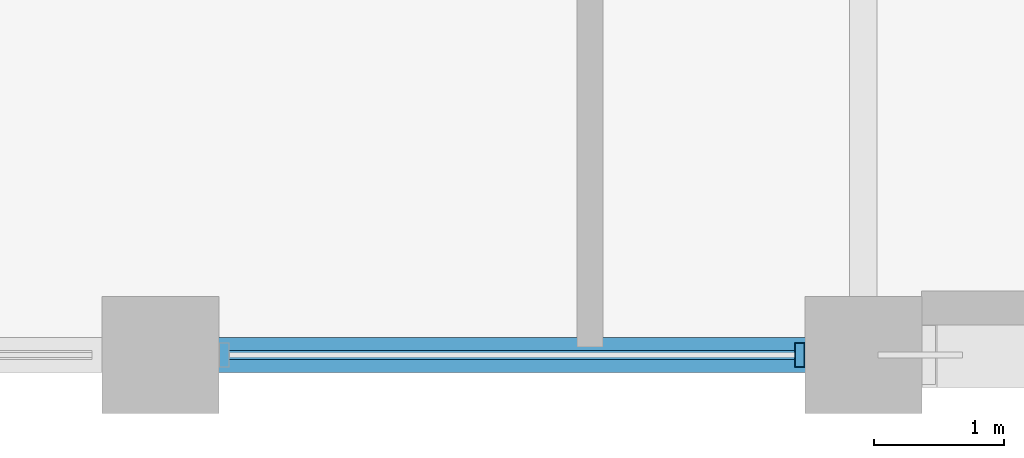
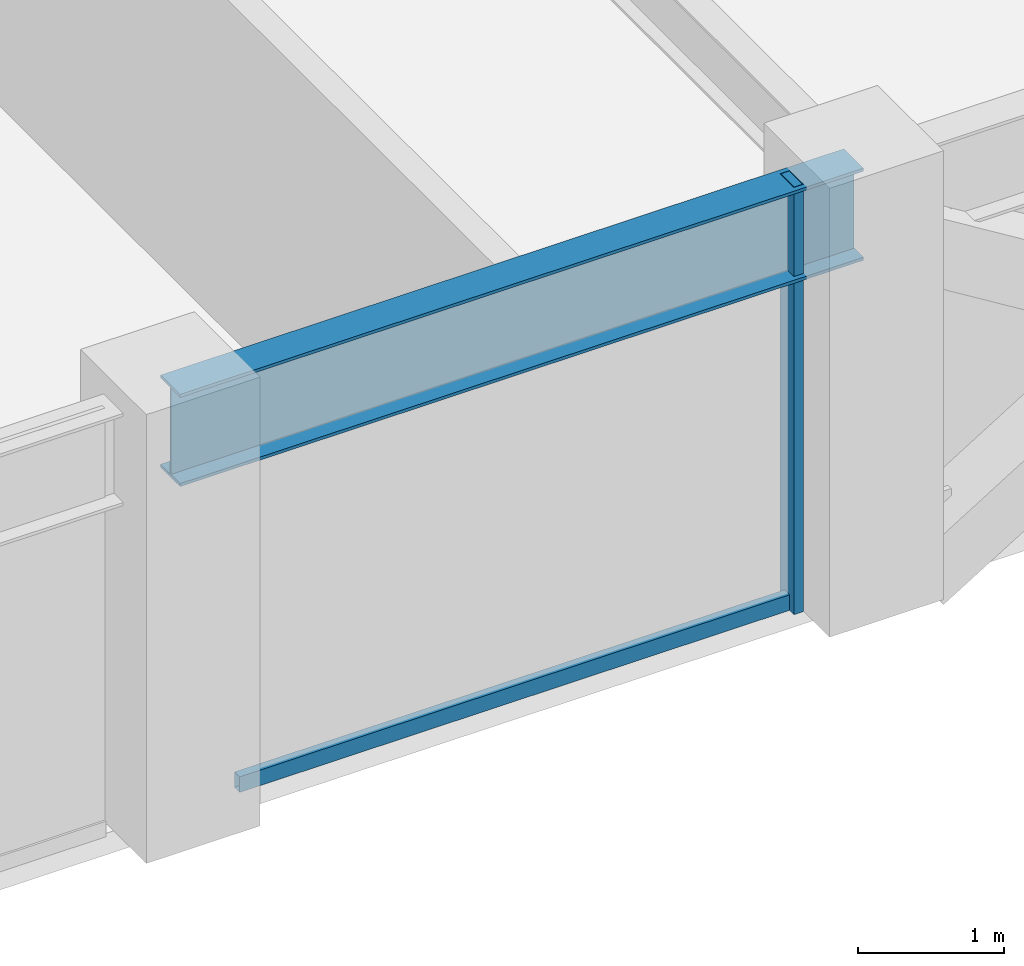
# One storey, part 3 of 32: 2 members, 1 beam, 1 element without a shape of its own.
"""IFC4 building model written with IfcOpenShell, lengths in metres."""

import ifcopenshell
import ifcopenshell.guid

model = None  # the IFC model being written
_history = None  # IfcOwnerHistory: only IFC2X3 demands one
_inside = {}  # id of a spatial element -> (the spatial element, [elements in it])
_under = {}  # id of a project, library or spatial element -> (it, [spatial elements below it])
_declared = {}  # id of a project -> (the project, [libraries it declares])
_typed = {}  # id of a type object -> (the type object, [elements of that type])
_made_of = {}  # id of a material, layer set ... -> (it, [elements and type objects made of it])


def new_model(schema):
    """Start an empty IFC model of exactly this schema.

    Asked for "IFC4X3", IfcOpenShell would pick the latest addendum, in which some entities
    have other attributes; the version numbers below select the first issue.
    IFC2X3 requires an IfcOwnerHistory on every rooted entity: one is made here for all.
    """
    global model, _history
    if schema == "IFC4X3":
        model = ifcopenshell.file(schema_version=(4, 3, 0, 0))
    else:
        model = ifcopenshell.file(schema=schema)
    _inside.clear()
    _under.clear()
    _declared.clear()
    _typed.clear()
    _made_of.clear()
    _history = None
    if model.schema == "IFC2X3":
        org = make("IfcOrganization", Name="unknown")
        user = make(
            "IfcPersonAndOrganization",
            ThePerson=make("IfcPerson", FamilyName="unknown"),
            TheOrganization=org,
        )
        app = make(
            "IfcApplication",
            ApplicationDeveloper=org,
            Version="unknown",
            ApplicationFullName="unknown",
            ApplicationIdentifier="unknown",
        )
        _history = make(
            "IfcOwnerHistory",
            OwningUser=user,
            OwningApplication=app,
            ChangeAction="ADDED",
            CreationDate=0,
        )
    return model


def make(cls, **values):
    """One entity of the class cls with the attributes given. An attribute that is None is left unset."""
    return model.create_entity(
        cls, **{name: value for name, value in values.items() if value is not None}
    )


def rooted(cls, **values):
    """An entity with a GlobalId (a new one), such as an element, a storey or a relation."""
    return make(cls, GlobalId=ifcopenshell.guid.new(), OwnerHistory=_history, **values)


def si_unit(unit_type, name, prefix=None):
    """IfcSIUnit, for example si_unit("LENGTHUNIT", "METRE", prefix="MILLI")."""
    return make("IfcSIUnit", UnitType=unit_type, Prefix=prefix, Name=name)


def assignment(units):
    """IfcUnitAssignment: the units of a project."""
    return None if units is None else make("IfcUnitAssignment", Units=units)


def point(xyz):
    """IfcCartesianPoint."""
    return None if xyz is None else make("IfcCartesianPoint", Coordinates=xyz)


def direction(xyz):
    """IfcDirection."""
    return None if xyz is None else make("IfcDirection", DirectionRatios=xyz)


def frame(location, z_axis=None, x_axis=None):
    """IfcAxis2Placement3D, a coordinate frame: its origin and axes. An axis left out is left unset."""
    return make(
        "IfcAxis2Placement3D",
        Location=point(location),
        Axis=direction(z_axis),
        RefDirection=direction(x_axis),
    )


def frame_2d(location, x_axis=None):
    """IfcAxis2Placement2D, a coordinate frame in the plane: its origin and x axis."""
    return make(
        "IfcAxis2Placement2D", Location=point(location), RefDirection=direction(x_axis)
    )


def origin():
    """The frame at (0, 0, 0) with its axes left unset."""
    return frame((0.0, 0.0, 0.0))


def origin_2d():
    """The frame at (0, 0) in the plane with its x axis left unset."""
    return frame_2d((0.0, 0.0))


def place(relative_to, where):
    """IfcLocalPlacement: puts the frame where relative to a parent placement (None: the world)."""
    return make(
        "IfcLocalPlacement", PlacementRelTo=relative_to, RelativePlacement=where
    )


def context(
    kind, dimensions, precision=None, world=None, true_north=None, identifier=None
):
    """IfcGeometricRepresentationContext, for example the 3D "Model" context."""
    return make(
        "IfcGeometricRepresentationContext",
        ContextIdentifier=identifier,
        ContextType=kind,
        CoordinateSpaceDimension=dimensions,
        Precision=precision,
        WorldCoordinateSystem=world,
        TrueNorth=true_north,
    )


def subcontext(parent, identifier, kind, view, scale=None):
    """IfcGeometricRepresentationSubContext, for example "Body" below "Model"."""
    return make(
        "IfcGeometricRepresentationSubContext",
        ContextIdentifier=identifier,
        ContextType=kind,
        ParentContext=parent,
        TargetScale=scale,
        TargetView=view,
    )


def project(units=None, contexts=None):
    """IfcProject with its units and contexts."""
    return rooted(
        "IfcProject",
        Name="project",
        RepresentationContexts=contexts,
        UnitsInContext=assignment(units),
    )


def spatial(cls, under=None, at=None, **own):
    """A site, building, storey or space (cls), placed at a placement, below another one or the project."""
    s = rooted(cls, ObjectPlacement=at, **own)
    if under is not None:
        _under.setdefault(under.id(), (under, []))[1].append(s)
    return s


def profile(cls, at=None, kind="AREA", **sizes):
    """A parametric profile (cls). Its sizes go by their IFC names, for example OverallWidth=200.0."""
    return make(cls, ProfileType=kind, Position=at, **sizes)


def hollow_rectangle(**sizes):
    """IfcRectangleHollowProfileDef."""
    return profile("IfcRectangleHollowProfileDef", **sizes)


def i_section(**sizes):
    """IfcIShapeProfileDef."""
    return profile("IfcIShapeProfileDef", **sizes)


def extrude(swept, where, along, depth):
    """IfcExtrudedAreaSolid: the profile swept, set in the frame where, extruded along a direction by depth."""
    return make(
        "IfcExtrudedAreaSolid",
        SweptArea=swept,
        Position=where,
        ExtrudedDirection=direction(along),
        Depth=depth,
    )


def shape(context_of_items, identifier, shape_type, items):
    """IfcShapeRepresentation: the items that make up one representation, for example the "Body"."""
    return make(
        "IfcShapeRepresentation",
        ContextOfItems=context_of_items,
        RepresentationIdentifier=identifier,
        RepresentationType=shape_type,
        Items=items,
    )


def material(Name=None, Category=None):
    """IfcMaterial."""
    return make("IfcMaterial", Name=Name, Category=Category)


def layer(
    of_material, thickness, ventilated=None, Name=None, Category=None, Priority=None
):
    """IfcMaterialLayer: one layer of a wall or slab, of a material (None: an air gap)."""
    return make(
        "IfcMaterialLayer",
        Material=of_material,
        LayerThickness=thickness,
        IsVentilated=ventilated,
        Name=Name,
        Category=Category,
        Priority=Priority,
    )


def layer_set(layers, Name=None):
    """IfcMaterialLayerSet."""
    return make("IfcMaterialLayerSet", MaterialLayers=layers, LayerSetName=Name)


def material_profile(
    of_material, cross_section, Name=None, Category=None, Priority=None
):
    """IfcMaterialProfile: a cross section and its material."""
    return make(
        "IfcMaterialProfile",
        Name=Name,
        Material=of_material,
        Profile=cross_section,
        Priority=Priority,
        Category=Category,
    )


def profile_set(profiles, Name=None, composite=None):
    """IfcMaterialProfileSet."""
    return make(
        "IfcMaterialProfileSet",
        Name=Name,
        MaterialProfiles=profiles,
        CompositeProfile=composite,
    )


def made_of(thing, what):
    """Note that an element or type object is made of a material, layer set ...; save() writes the relation."""
    if what is not None:
        _made_of.setdefault(what.id(), (what, []))[1].append(thing)
    return thing


def type_object(cls, material=None, **own):
    """A type object (cls), such as IfcWallType, which elements share."""
    return made_of(rooted(cls, **own), material)


def element(
    cls,
    number,
    at=None,
    inside=None,
    cuts=None,
    type_object=None,
    material=None,
    context=None,
    identifier="Body",
    shape_type=None,
    held_by="IfcProductDefinitionShape",
    body=None,
    shapes=None,
    **own,
):
    """One element of the class cls, such as IfcWall. Its Tag is "e" and its number.

    at: its placement. inside: the storey or other place that contains it. cuts: it is an
    opening in that element (IfcRelVoidsElement). A single representation is given by context,
    identifier, shape_type and body (its items); several are given by shapes. held_by: the class
    of the entity that holds the representations. save() writes the other relations.
    """
    e = rooted(cls, Tag="e%d" % number, ObjectPlacement=at, **own)
    if body is not None:
        shapes = [shape(context, identifier, shape_type, body)]
    if shapes is not None:
        e.Representation = make(held_by, Representations=shapes)
    if inside is not None:
        _inside.setdefault(inside.id(), (inside, []))[1].append(e)
    if cuts is not None:
        rooted(
            "IfcRelVoidsElement", RelatingBuildingElement=cuts, RelatedOpeningElement=e
        )
    if type_object is not None:
        _typed.setdefault(type_object.id(), (type_object, []))[1].append(e)
    return made_of(e, material)


def aggregate(whole, parts):
    """IfcRelAggregates: a whole, such as a stair, and the parts it consists of."""
    return rooted("IfcRelAggregates", RelatingObject=whole, RelatedObjects=parts)


def save(model, path):
    """Write the relations noted so far, then the file.

    IfcRelAggregates (storeys below a building ...), IfcRelContainedInSpatialStructure (elements
    in a storey), IfcRelDefinesByType, IfcRelAssociatesMaterial and IfcRelDeclares: one each for
    every whole, place, type object, material and project.
    """
    for whole, parts in _under.values():
        aggregate(whole, parts)
    for where, things in _inside.values():
        rooted(
            "IfcRelContainedInSpatialStructure",
            RelatedElements=things,
            RelatingStructure=where,
        )
    for kind, things in _typed.values():
        rooted("IfcRelDefinesByType", RelatedObjects=things, RelatingType=kind)
    for what, things in _made_of.values():
        rooted("IfcRelAssociatesMaterial", RelatedObjects=things, RelatingMaterial=what)
    for by, libraries in _declared.values():
        rooted("IfcRelDeclares", RelatingContext=by, RelatedDefinitions=libraries)
    model.write(path)


model = new_model("IFC4")

# Units and contexts
model_context = context("Model", 3, precision=1e-05, world=origin(), true_north=direction((0.0, 1.0)))
body_context = subcontext(model_context, "Body", "Model", "MODEL_VIEW")
ifc_project = project(units=[si_unit("LENGTHUNIT", "METRE"), si_unit("AREAUNIT", "SQUARE_METRE"), si_unit("VOLUMEUNIT", "CUBIC_METRE"), si_unit("PLANEANGLEUNIT", "RADIAN"), si_unit("MASSUNIT", "GRAM", prefix="KILO")], contexts=[model_context])

# Site, building, storey
site_placement = place(None, origin())
site = spatial("IfcSite", under=ifc_project, at=site_placement, CompositionType="ELEMENT")
building_placement = place(site_placement, origin())
building = spatial("IfcBuilding", under=site, at=building_placement, Name="Surkhivell Harbour Commons", CompositionType="ELEMENT")
storey_placement = place(building_placement, frame((0.0, 0.0, 197.25)))
storey = spatial("IfcBuildingStorey", under=building, at=storey_placement, Name="L51", CompositionType="ELEMENT", Elevation=197.25)

# Beam
ifc_material_1 = material(Name="Steel S355", Category="steel")
ifc_material_profile_1 = material_profile(ifc_material_1, i_section(OverallWidth=0.26806640625, OverallDepth=0.77001953125, WebThickness=0.015625, FlangeThickness=0.025390625, at=origin_2d()), Name="UB762x267x197")
ifc_profile_set_1 = profile_set([ifc_material_profile_1], Name="Steel S355")
beam_type = type_object("IfcBeamType", Name="BM-SPN-762", PredefinedType="SPANDREL", material=ifc_profile_set_1)
beam_placement = place(storey_placement, frame((-16.199951171875, -21.60009765625, 3.18505859375), z_axis=(1.0, 0.0, 0.0), x_axis=(0.0, 1.0, 0.0)))
element("IfcBeam", 1, at=beam_placement, inside=storey, type_object=beam_type, Name="L51 Tube Spandrel (-16.2,-21.6)", PredefinedType="SPANDREL", context=body_context, shape_type="SweptSolid", body=[
    extrude(i_section(OverallWidth=0.26806640625, OverallDepth=0.77001953125, WebThickness=0.015625, FlangeThickness=0.025390625, at=origin_2d()), origin(), (0.0, 0.0, 1.0), 5.39990234375),
])

# Curtain wall, members
ifc_material_2 = material(Name="Anodised pale-metal aluminium and insulated glazing", Category="aluminium")
ifc_layer = layer(ifc_material_2, 0.18994140625)
ifc_layer_set = layer_set([ifc_layer], Name="Anodised pale-metal aluminium and insulated glazing")
curtain_wall_type = type_object("IfcCurtainWallType", Name="CW-SYS-Z3", PredefinedType="NOTDEFINED", material=ifc_layer_set)
curtain_wall_placement = place(storey_placement, origin())
curtain_wall = element("IfcCurtainWall", 2, at=curtain_wall_placement, inside=storey, type_object=curtain_wall_type, Name="L51 Curtain Wall CW-L51-E00S1", PredefinedType="NOTDEFINED")
ifc_material_3 = material(Name="Anodised pale-metal aluminium alloy 6063-T6", Category="aluminium")
ifc_material_profile_2 = material_profile(ifc_material_3, hollow_rectangle(XDim=0.074951171875, YDim=0.18994140625, WallThickness=0.00390625, at=origin_2d()), Name="ALU-MULL-75x190")
ifc_profile_set_2 = profile_set([ifc_material_profile_2], Name="Anodised pale-metal aluminium alloy 6063-T6")
member_type_1 = type_object("IfcMemberType", Name="CWM-190", PredefinedType="MULLION", material=ifc_profile_set_2)
member_1_placement = place(storey_placement, frame((-11.28955078125, -21.60009765625, 0.0), z_axis=(0.0, 0.0, 1.0), x_axis=(1.0, 0.0, 0.0)))
member_1 = element("IfcMember", 3, at=member_1_placement, type_object=member_type_1, Name="CW-Z3 mullion 3", PredefinedType="MULLION", context=body_context, shape_type="SweptSolid", body=[
    extrude(hollow_rectangle(XDim=0.074951171875, YDim=0.18994140625, WallThickness=0.00390625, at=origin_2d()), origin(), (0.0, 0.0, 1.0), 3.570068359375),
])
ifc_material_4 = material(Name="Champagne anodised aluminium alloy 6063-T6", Category="aluminium")
ifc_material_profile_3 = material_profile(ifc_material_4, hollow_rectangle(XDim=0.070068359375, YDim=0.1298828125, WallThickness=0.00341796875, at=origin_2d()), Name="ALU-TRAN-70x130")
ifc_profile_set_3 = profile_set([ifc_material_profile_3], Name="Champagne anodised aluminium alloy 6063-T6")
member_type_2 = type_object("IfcMemberType", Name="CWT-130", PredefinedType="USERDEFINED", material=ifc_profile_set_3)
member_2_placement = place(storey_placement, frame((-15.673095703125, -21.60009765625, 0.06494140625), z_axis=(1.0, 0.0, 0.0), x_axis=(0.0, 1.0, 0.0)))
member_2 = element("IfcMember", 4, at=member_2_placement, type_object=member_type_2, Name="CW-Z3 transom 2.1", ObjectType="TRANSOM", PredefinedType="USERDEFINED", context=body_context, shape_type="SweptSolid", body=[
    extrude(hollow_rectangle(XDim=0.070068359375, YDim=0.1298828125, WallThickness=0.00341796875, at=origin_2d()), origin(), (0.0, 0.0, 1.0), 4.34619140625),
])
aggregate(curtain_wall, [member_1, member_2])

save(model, "model.ifc")
